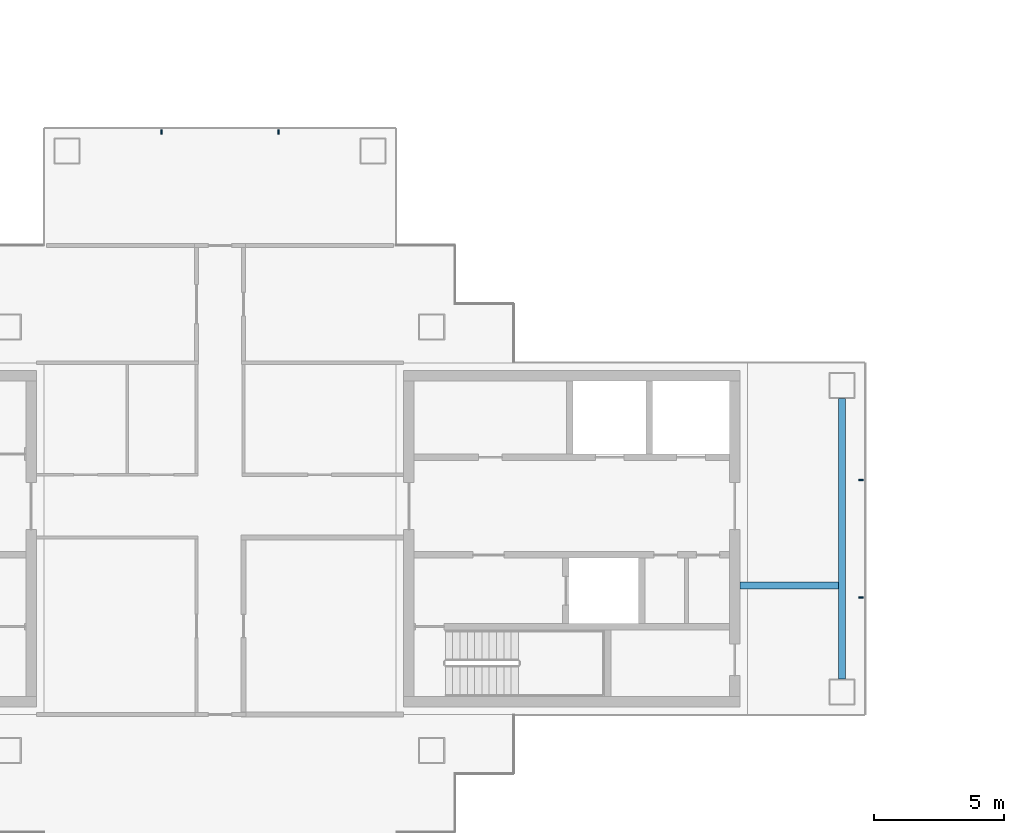
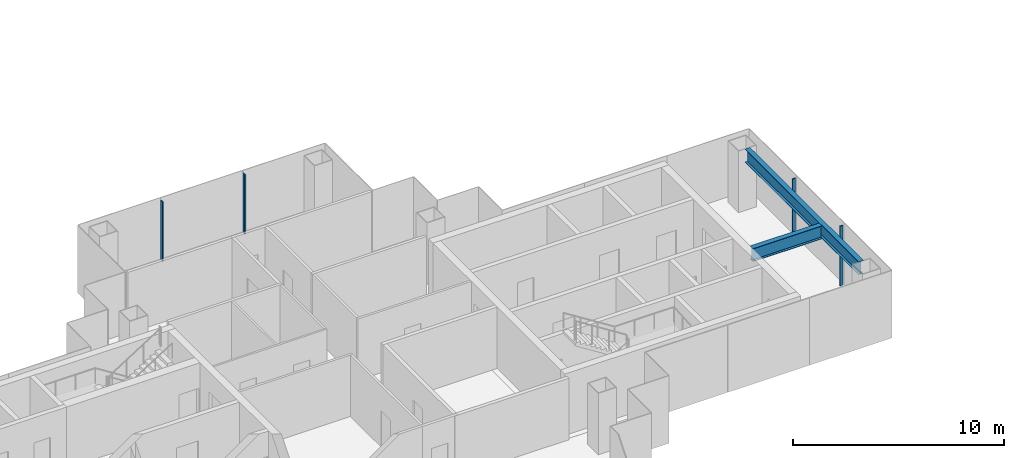
# One storey, part 4 of 16: 4 members, 2 beams, 2 elements without a shape of their own.
"""IFC4 building model written with IfcOpenShell, lengths in metres."""

import ifcopenshell
import ifcopenshell.guid

model = None  # the IFC model being written
_history = None  # IfcOwnerHistory: only IFC2X3 demands one
_inside = {}  # id of a spatial element -> (the spatial element, [elements in it])
_under = {}  # id of a project, library or spatial element -> (it, [spatial elements below it])
_declared = {}  # id of a project -> (the project, [libraries it declares])
_typed = {}  # id of a type object -> (the type object, [elements of that type])
_made_of = {}  # id of a material, layer set ... -> (it, [elements and type objects made of it])


def new_model(schema):
    """Start an empty IFC model of exactly this schema.

    Asked for "IFC4X3", IfcOpenShell would pick the latest addendum, in which some entities
    have other attributes; the version numbers below select the first issue.
    IFC2X3 requires an IfcOwnerHistory on every rooted entity: one is made here for all.
    """
    global model, _history
    if schema == "IFC4X3":
        model = ifcopenshell.file(schema_version=(4, 3, 0, 0))
    else:
        model = ifcopenshell.file(schema=schema)
    _inside.clear()
    _under.clear()
    _declared.clear()
    _typed.clear()
    _made_of.clear()
    _history = None
    if model.schema == "IFC2X3":
        org = make("IfcOrganization", Name="unknown")
        user = make(
            "IfcPersonAndOrganization",
            ThePerson=make("IfcPerson", FamilyName="unknown"),
            TheOrganization=org,
        )
        app = make(
            "IfcApplication",
            ApplicationDeveloper=org,
            Version="unknown",
            ApplicationFullName="unknown",
            ApplicationIdentifier="unknown",
        )
        _history = make(
            "IfcOwnerHistory",
            OwningUser=user,
            OwningApplication=app,
            ChangeAction="ADDED",
            CreationDate=0,
        )
    return model


def make(cls, **values):
    """One entity of the class cls with the attributes given. An attribute that is None is left unset."""
    return model.create_entity(
        cls, **{name: value for name, value in values.items() if value is not None}
    )


def rooted(cls, **values):
    """An entity with a GlobalId (a new one), such as an element, a storey or a relation."""
    return make(cls, GlobalId=ifcopenshell.guid.new(), OwnerHistory=_history, **values)


def si_unit(unit_type, name, prefix=None):
    """IfcSIUnit, for example si_unit("LENGTHUNIT", "METRE", prefix="MILLI")."""
    return make("IfcSIUnit", UnitType=unit_type, Prefix=prefix, Name=name)


def assignment(units):
    """IfcUnitAssignment: the units of a project."""
    return None if units is None else make("IfcUnitAssignment", Units=units)


def point(xyz):
    """IfcCartesianPoint."""
    return None if xyz is None else make("IfcCartesianPoint", Coordinates=xyz)


def direction(xyz):
    """IfcDirection."""
    return None if xyz is None else make("IfcDirection", DirectionRatios=xyz)


def frame(location, z_axis=None, x_axis=None):
    """IfcAxis2Placement3D, a coordinate frame: its origin and axes. An axis left out is left unset."""
    return make(
        "IfcAxis2Placement3D",
        Location=point(location),
        Axis=direction(z_axis),
        RefDirection=direction(x_axis),
    )


def frame_2d(location, x_axis=None):
    """IfcAxis2Placement2D, a coordinate frame in the plane: its origin and x axis."""
    return make(
        "IfcAxis2Placement2D", Location=point(location), RefDirection=direction(x_axis)
    )


def origin():
    """The frame at (0, 0, 0) with its axes left unset."""
    return frame((0.0, 0.0, 0.0))


def origin_2d():
    """The frame at (0, 0) in the plane with its x axis left unset."""
    return frame_2d((0.0, 0.0))


def place(relative_to, where):
    """IfcLocalPlacement: puts the frame where relative to a parent placement (None: the world)."""
    return make(
        "IfcLocalPlacement", PlacementRelTo=relative_to, RelativePlacement=where
    )


def context(
    kind, dimensions, precision=None, world=None, true_north=None, identifier=None
):
    """IfcGeometricRepresentationContext, for example the 3D "Model" context."""
    return make(
        "IfcGeometricRepresentationContext",
        ContextIdentifier=identifier,
        ContextType=kind,
        CoordinateSpaceDimension=dimensions,
        Precision=precision,
        WorldCoordinateSystem=world,
        TrueNorth=true_north,
    )


def subcontext(parent, identifier, kind, view, scale=None):
    """IfcGeometricRepresentationSubContext, for example "Body" below "Model"."""
    return make(
        "IfcGeometricRepresentationSubContext",
        ContextIdentifier=identifier,
        ContextType=kind,
        ParentContext=parent,
        TargetScale=scale,
        TargetView=view,
    )


def project(units=None, contexts=None):
    """IfcProject with its units and contexts."""
    return rooted(
        "IfcProject",
        Name="project",
        RepresentationContexts=contexts,
        UnitsInContext=assignment(units),
    )


def spatial(cls, under=None, at=None, **own):
    """A site, building, storey or space (cls), placed at a placement, below another one or the project."""
    s = rooted(cls, ObjectPlacement=at, **own)
    if under is not None:
        _under.setdefault(under.id(), (under, []))[1].append(s)
    return s


def profile(cls, at=None, kind="AREA", **sizes):
    """A parametric profile (cls). Its sizes go by their IFC names, for example OverallWidth=200.0."""
    return make(cls, ProfileType=kind, Position=at, **sizes)


def rectangle(**sizes):
    """IfcRectangleProfileDef."""
    return profile("IfcRectangleProfileDef", **sizes)


def i_section(**sizes):
    """IfcIShapeProfileDef."""
    return profile("IfcIShapeProfileDef", **sizes)


def extrude(swept, where, along, depth):
    """IfcExtrudedAreaSolid: the profile swept, set in the frame where, extruded along a direction by depth."""
    return make(
        "IfcExtrudedAreaSolid",
        SweptArea=swept,
        Position=where,
        ExtrudedDirection=direction(along),
        Depth=depth,
    )


def shape(context_of_items, identifier, shape_type, items):
    """IfcShapeRepresentation: the items that make up one representation, for example the "Body"."""
    return make(
        "IfcShapeRepresentation",
        ContextOfItems=context_of_items,
        RepresentationIdentifier=identifier,
        RepresentationType=shape_type,
        Items=items,
    )


def material(Name=None, Category=None):
    """IfcMaterial."""
    return make("IfcMaterial", Name=Name, Category=Category)


def layer(
    of_material, thickness, ventilated=None, Name=None, Category=None, Priority=None
):
    """IfcMaterialLayer: one layer of a wall or slab, of a material (None: an air gap)."""
    return make(
        "IfcMaterialLayer",
        Material=of_material,
        LayerThickness=thickness,
        IsVentilated=ventilated,
        Name=Name,
        Category=Category,
        Priority=Priority,
    )


def layer_set(layers, Name=None):
    """IfcMaterialLayerSet."""
    return make("IfcMaterialLayerSet", MaterialLayers=layers, LayerSetName=Name)


def material_profile(
    of_material, cross_section, Name=None, Category=None, Priority=None
):
    """IfcMaterialProfile: a cross section and its material."""
    return make(
        "IfcMaterialProfile",
        Name=Name,
        Material=of_material,
        Profile=cross_section,
        Priority=Priority,
        Category=Category,
    )


def profile_set(profiles, Name=None, composite=None):
    """IfcMaterialProfileSet."""
    return make(
        "IfcMaterialProfileSet",
        Name=Name,
        MaterialProfiles=profiles,
        CompositeProfile=composite,
    )


def made_of(thing, what):
    """Note that an element or type object is made of a material, layer set ...; save() writes the relation."""
    if what is not None:
        _made_of.setdefault(what.id(), (what, []))[1].append(thing)
    return thing


def type_object(cls, material=None, **own):
    """A type object (cls), such as IfcWallType, which elements share."""
    return made_of(rooted(cls, **own), material)


def element(
    cls,
    number,
    at=None,
    inside=None,
    cuts=None,
    type_object=None,
    material=None,
    context=None,
    identifier="Body",
    shape_type=None,
    held_by="IfcProductDefinitionShape",
    body=None,
    shapes=None,
    **own,
):
    """One element of the class cls, such as IfcWall. Its Tag is "e" and its number.

    at: its placement. inside: the storey or other place that contains it. cuts: it is an
    opening in that element (IfcRelVoidsElement). A single representation is given by context,
    identifier, shape_type and body (its items); several are given by shapes. held_by: the class
    of the entity that holds the representations. save() writes the other relations.
    """
    e = rooted(cls, Tag="e%d" % number, ObjectPlacement=at, **own)
    if body is not None:
        shapes = [shape(context, identifier, shape_type, body)]
    if shapes is not None:
        e.Representation = make(held_by, Representations=shapes)
    if inside is not None:
        _inside.setdefault(inside.id(), (inside, []))[1].append(e)
    if cuts is not None:
        rooted(
            "IfcRelVoidsElement", RelatingBuildingElement=cuts, RelatedOpeningElement=e
        )
    if type_object is not None:
        _typed.setdefault(type_object.id(), (type_object, []))[1].append(e)
    return made_of(e, material)


def aggregate(whole, parts):
    """IfcRelAggregates: a whole, such as a stair, and the parts it consists of."""
    return rooted("IfcRelAggregates", RelatingObject=whole, RelatedObjects=parts)


def save(model, path):
    """Write the relations noted so far, then the file.

    IfcRelAggregates (storeys below a building ...), IfcRelContainedInSpatialStructure (elements
    in a storey), IfcRelDefinesByType, IfcRelAssociatesMaterial and IfcRelDeclares: one each for
    every whole, place, type object, material and project.
    """
    for whole, parts in _under.values():
        aggregate(whole, parts)
    for where, things in _inside.values():
        rooted(
            "IfcRelContainedInSpatialStructure",
            RelatedElements=things,
            RelatingStructure=where,
        )
    for kind, things in _typed.values():
        rooted("IfcRelDefinesByType", RelatedObjects=things, RelatingType=kind)
    for what, things in _made_of.values():
        rooted("IfcRelAssociatesMaterial", RelatedObjects=things, RelatingMaterial=what)
    for by, libraries in _declared.values():
        rooted("IfcRelDeclares", RelatingContext=by, RelatedDefinitions=libraries)
    model.write(path)


model = new_model("IFC4")

# Units and contexts
model_context = context("Model", 3, precision=1e-05, world=origin(), true_north=direction((0.0, 1.0)))
body_context = subcontext(model_context, "Body", "Model", "MODEL_VIEW")
ifc_project = project(units=[si_unit("LENGTHUNIT", "METRE"), si_unit("AREAUNIT", "SQUARE_METRE"), si_unit("VOLUMEUNIT", "CUBIC_METRE"), si_unit("PLANEANGLEUNIT", "RADIAN"), si_unit("MASSUNIT", "GRAM", prefix="KILO")], contexts=[model_context])

# Site, building, storey
site_placement = place(None, origin())
site = spatial("IfcSite", under=ifc_project, at=site_placement, CompositionType="ELEMENT")
building_placement = place(site_placement, origin())
building = spatial("IfcBuilding", under=site, at=building_placement, Name="Shamsa Quay Exchange Towers", CompositionType="ELEMENT")
storey_placement = place(building_placement, frame((0.0, 0.0, 210.0)))
storey = spatial("IfcBuildingStorey", under=building, at=storey_placement, Name="L50", CompositionType="ELEMENT", Elevation=210.0)

# Curtain wall, members
ifc_material_1 = material(Name="Aluminium EN AW-6063 T6, black anodised", Category="aluminium")
ifc_layer = layer(ifc_material_1, 0.280029296875)
ifc_layer_set = layer_set([ifc_layer], Name="CW-1 UNITISED VISION GLASS")
curtain_wall_type = type_object("IfcCurtainWallType", Name="CW-1 UNITISED VISION GLASS", PredefinedType="NOTDEFINED", material=ifc_layer_set)
curtain_wall_1_placement = place(storey_placement, origin())
curtain_wall_1 = element("IfcCurtainWall", 1, at=curtain_wall_1_placement, inside=storey, type_object=curtain_wall_type, Name="CW1 T1-END-U+ L50", PredefinedType="NOTDEFINED")
ifc_material_profile_1 = material_profile(ifc_material_1, rectangle(XDim=0.179931640625, YDim=0.06005859375, at=origin_2d()), Name="MU60x180")
ifc_profile_set_1 = profile_set([ifc_material_profile_1], Name="Aluminium EN AW-6063 T6, black anodised")
member_type = type_object("IfcMemberType", Name="CW1 MULLION 60x180", PredefinedType="MULLION", material=ifc_profile_set_1)
member_1_placement = place(storey_placement, frame((-9.14990234375, -2.25, 0.0), z_axis=(0.0, 0.0, 1.0), x_axis=(-1.0, 0.0, 0.0)))
member_1 = element("IfcMember", 2, at=member_1_placement, type_object=member_type, Name="CW1 mullion", PredefinedType="MULLION", context=body_context, shape_type="SweptSolid", body=[
    extrude(rectangle(XDim=0.179931640625, YDim=0.06005859375, at=origin_2d()), origin(), (0.0, 0.0, 1.0), 3.449951171875),
])
member_2_placement = place(storey_placement, frame((-9.14990234375, 2.25, 0.0), z_axis=(0.0, 0.0, 1.0), x_axis=(-1.0, 0.0, 0.0)))
member_2 = element("IfcMember", 3, at=member_2_placement, type_object=member_type, Name="CW1 mullion", PredefinedType="MULLION", context=body_context, shape_type="SweptSolid", body=[
    extrude(rectangle(XDim=0.179931640625, YDim=0.06005859375, at=origin_2d()), origin(), (0.0, 0.0, 1.0), 3.449951171875),
])
aggregate(curtain_wall_1, [member_1, member_2])

curtain_wall_2_placement = place(storey_placement, origin())
curtain_wall_2 = element("IfcCurtainWall", 4, at=curtain_wall_2_placement, inside=storey, type_object=curtain_wall_type, Name="CW1 T1-END-V+ L50", PredefinedType="NOTDEFINED")
member_3_placement = place(storey_placement, frame((-31.5, 15.60009765625, 0.0), z_axis=(0.0, 0.0, 1.0), x_axis=(0.0, -1.0, 0.0)))
member_3 = element("IfcMember", 5, at=member_3_placement, type_object=member_type, Name="CW1 mullion", PredefinedType="MULLION", context=body_context, shape_type="SweptSolid", body=[
    extrude(rectangle(XDim=0.179931640625, YDim=0.06005859375, at=origin_2d()), origin(), (0.0, 0.0, 1.0), 3.449951171875),
])
member_4_placement = place(storey_placement, frame((-36.0, 15.60009765625, 0.0), z_axis=(0.0, 0.0, 1.0), x_axis=(0.0, -1.0, 0.0)))
member_4 = element("IfcMember", 6, at=member_4_placement, type_object=member_type, Name="CW1 mullion", PredefinedType="MULLION", context=body_context, shape_type="SweptSolid", body=[
    extrude(rectangle(XDim=0.179931640625, YDim=0.06005859375, at=origin_2d()), origin(), (0.0, 0.0, 1.0), 3.449951171875),
])
aggregate(curtain_wall_2, [member_3, member_4])

# Beams
ifc_material_2 = material(Name="Steel S355", Category="steel")
ifc_material_profile_2 = material_profile(ifc_material_2, i_section(OverallWidth=0.26611328125, OverallDepth=0.7578125, WebThickness=0.013916015625, FlangeThickness=0.019287109375, at=origin_2d()), Name="W30x108")
ifc_profile_set_2 = profile_set([ifc_material_profile_2], Name="Steel S355")
beam_type = type_object("IfcBeamType", Name="End-zone beam W30x108", PredefinedType="BEAM", material=ifc_profile_set_2)
beam_1_placement = place(storey_placement, frame((-9.875, -5.375, 3.171142578125), z_axis=(0.0, 1.0, 0.0), x_axis=(-1.0, 0.0, 0.0)))
element("IfcBeam", 7, at=beam_1_placement, inside=storey, type_object=beam_type, Name="End beam T1 U+ end zone L50", PredefinedType="BEAM", context=body_context, shape_type="SweptSolid", body=[
    extrude(i_section(OverallWidth=0.26611328125, OverallDepth=0.7578125, WebThickness=0.013916015625, FlangeThickness=0.019287109375, at=origin_2d()), origin(), (0.0, 0.0, 1.0), 10.75),
])
beam_2_placement = place(storey_placement, frame((-13.800048828125, -1.800048828125, 3.171142578125), z_axis=(1.0, 0.0, 0.0), x_axis=(0.0, 1.0, 0.0)))
element("IfcBeam", 8, at=beam_2_placement, inside=storey, type_object=beam_type, Name="Spine beam T1 U+ end zone L50", PredefinedType="BEAM", context=body_context, shape_type="SweptSolid", body=[
    extrude(i_section(OverallWidth=0.26611328125, OverallDepth=0.7578125, WebThickness=0.013916015625, FlangeThickness=0.019287109375, at=origin_2d()), origin(), (0.0, 0.0, 1.0), 3.7919921875),
])

save(model, "model.ifc")
